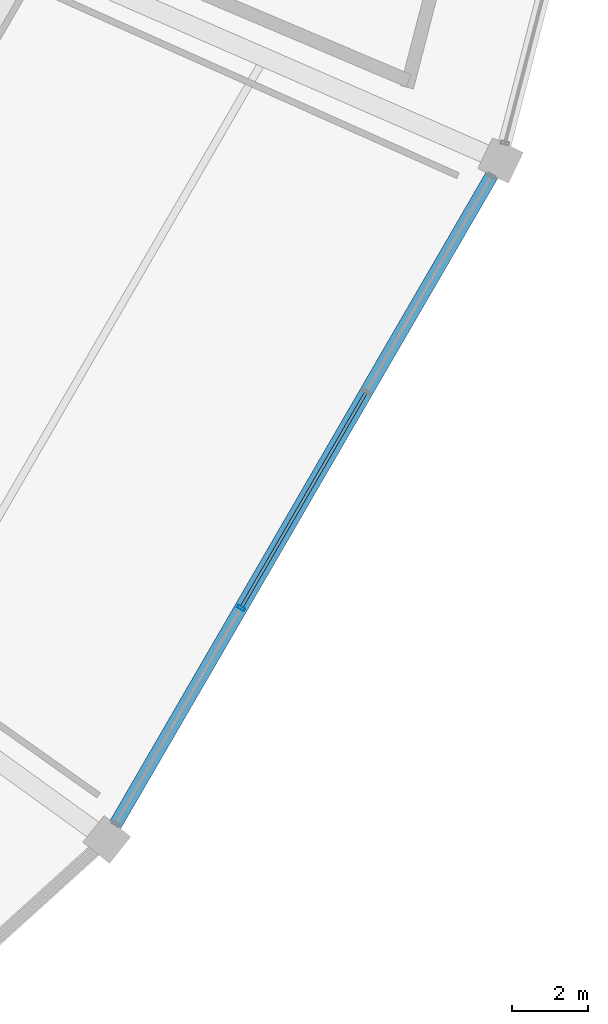
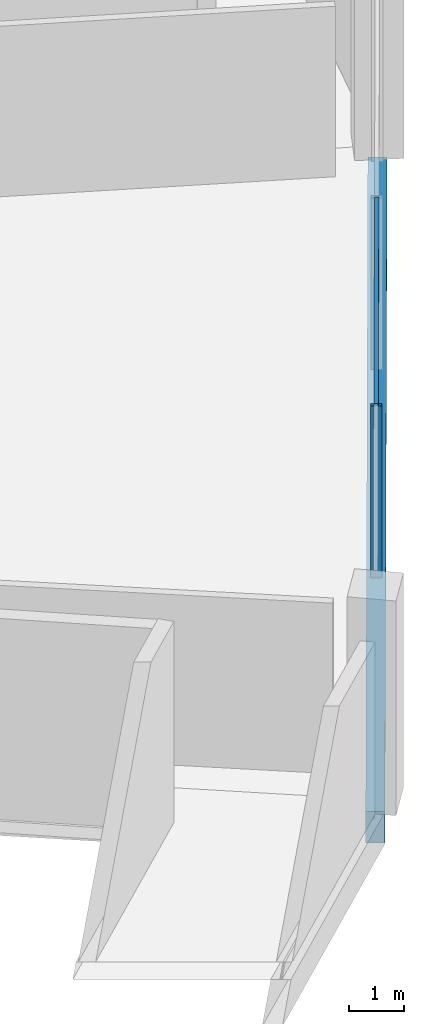
# One storey, part 61 of 171: 3 members, 1 beam, 1 element without a shape of its own.
"""IFC4 building model written with IfcOpenShell, lengths in metres."""

from ifc_helpers import new_model, si_unit, direction, frame, origin, origin_2d, place, context, subcontext, project, spatial, rectangle, hollow_rectangle, extrude, material, layer, layer_set, material_profile, profile_set, type_object, element, aggregate, save


model = new_model("IFC4")

# Units and contexts
model_context = context("Model", 3, precision=1e-05, world=origin(), true_north=direction((0.0, 1.0)))
body_context = subcontext(model_context, "Body", "Model", "MODEL_VIEW")
ifc_project = project(units=[si_unit("LENGTHUNIT", "METRE"), si_unit("AREAUNIT", "SQUARE_METRE"), si_unit("VOLUMEUNIT", "CUBIC_METRE"), si_unit("PLANEANGLEUNIT", "RADIAN"), si_unit("MASSUNIT", "GRAM", prefix="KILO")], contexts=[model_context])

# Site, building, storey
site_placement = place(None, origin())
site = spatial("IfcSite", under=ifc_project, at=site_placement, CompositionType="ELEMENT")
building_placement = place(site_placement, origin())
building = spatial("IfcBuilding", under=site, at=building_placement, Name="Kazemori Nagisa Stadium", CompositionType="ELEMENT")
storey_placement = place(building_placement, frame((0.0, 0.0, 15.639892578125)))
storey = spatial("IfcBuildingStorey", under=building, at=storey_placement, Name="L03", CompositionType="ELEMENT", Elevation=15.639892578125)

# Beam
ifc_material_1 = material(Name="Concrete C40/50 (Fc42)", Category="concrete")
ifc_material_profile_1 = material_profile(ifc_material_1, rectangle(XDim=0.35009765625, YDim=0.699951171875, at=origin_2d()), Name="RC-SP-350x700")
ifc_profile_set_1 = profile_set([ifc_material_profile_1], Name="Concrete C40/50 (Fc42)")
beam_type = type_object("IfcBeamType", Name="Beam_BS-RC350X700", PredefinedType="SPANDREL", material=ifc_profile_set_1)
beam_placement = place(storey_placement, frame((201.495361328125, 45.332275390625, -0.60986328125), z_axis=(0.50161277459, 0.8650922635, 0.0), x_axis=(-0.8650922635, 0.50161277459, 0.0)))
element("IfcBeam", 1, at=beam_placement, inside=storey, type_object=beam_type, Name="Ring girder BS-RC350X700 L03 R3-26", PredefinedType="SPANDREL", context=body_context, shape_type="SweptSolid", body=[
    extrude(rectangle(XDim=0.35009765625, YDim=0.699951171875, at=origin_2d()), origin(), (0.0, 0.0, 1.0), 20.71240234375),
])

# Curtain wall, members
ifc_material_2 = material(Name="Anodised aluminium 6063-T5", Category="aluminium")
ifc_layer = layer(ifc_material_2, 0.2099609375, Name="Anodised aluminium 6063-T5", Category="aluminium")
ifc_layer_set = layer_set([ifc_layer], Name="Anodised aluminium 6063-T5")
curtain_wall_type = type_object("IfcCurtainWallType", Name="CW_L03R3_99", PredefinedType="USERDEFINED", material=ifc_layer_set)
curtain_wall_placement = place(storey_placement, origin())
curtain_wall = element("IfcCurtainWall", 2, at=curtain_wall_placement, inside=storey, type_object=curtain_wall_type, Name="Unitised curtain wall CW-L03R3-99 L03", ObjectType="UNITISED CURTAIN WALL", PredefinedType="USERDEFINED")
ifc_material_3 = material(Name="Aluminium 6063-T5 anodised", Category="aluminium")
ifc_material_profile_2 = material_profile(ifc_material_3, hollow_rectangle(XDim=0.080078125, YDim=0.2099609375, WallThickness=0.0048828125, at=origin_2d()), Name="ALU-MULL-80x210x5")
ifc_profile_set_2 = profile_set([ifc_material_profile_2], Name="Aluminium 6063-T5 anodised")
member_type_1 = type_object("IfcMemberType", Name="Mullion_M02", PredefinedType="MULLION", material=ifc_profile_set_2)
member_1_placement = place(storey_placement, frame((205.0380859375, 51.442138671875, 0.0), z_axis=(0.0, 0.0, 1.0), x_axis=(0.501611590054, 0.865092950337, 0.0)))
member_1 = element("IfcMember", 3, at=member_1_placement, type_object=member_type_1, Name="Curtain wall mullion CW-L03R3-99-M2", PredefinedType="MULLION", context=body_context, shape_type="SweptSolid", body=[
    extrude(hollow_rectangle(XDim=0.080078125, YDim=0.2099609375, WallThickness=0.0048828125, at=origin_2d()), origin(), (0.0, 0.0, 1.0), 3.81005859375),
])
ifc_material_profile_3 = material_profile(ifc_material_3, hollow_rectangle(XDim=0.080078125, YDim=0.159912109375, WallThickness=0.00390625, at=origin_2d()), Name="ALU-TRAN-80x160x4")
ifc_profile_set_3 = profile_set([ifc_material_profile_3], Name="Aluminium 6063-T5 anodised")
member_type_2 = type_object("IfcMemberType", Name="Transom_T02", PredefinedType="USERDEFINED", material=ifc_profile_set_3)
member_2_placement = place(storey_placement, frame((205.048095703125, 51.459228515625, 2.705322265625), z_axis=(0.501590295943, 0.865105297069, 0.0), x_axis=(-0.865105297069, 0.501590295943, 0.0)))
member_2 = element("IfcMember", 4, at=member_2_placement, type_object=member_type_2, Name="Curtain wall transom CW-L03R3-99-T2-mid", ObjectType="TRANSOM", PredefinedType="USERDEFINED", context=body_context, shape_type="SweptSolid", body=[
    extrude(hollow_rectangle(XDim=0.080078125, YDim=0.159912109375, WallThickness=0.00390625, at=origin_2d()), origin(), (0.0, 0.0, 1.0), 6.547607421875),
])
member_3_placement = place(storey_placement, frame((205.048095703125, 51.459228515625, 3.739990234375), z_axis=(0.501590295943, 0.865105297069, 0.0), x_axis=(-0.865105297069, 0.501590295943, 0.0)))
member_3 = element("IfcMember", 5, at=member_3_placement, type_object=member_type_2, Name="Curtain wall transom CW-L03R3-99-T2-head", ObjectType="TRANSOM", PredefinedType="USERDEFINED", context=body_context, shape_type="SweptSolid", body=[
    extrude(hollow_rectangle(XDim=0.080078125, YDim=0.159912109375, WallThickness=0.00390625, at=origin_2d()), origin(), (0.0, 0.0, 1.0), 6.547607421875),
])
aggregate(curtain_wall, [member_1, member_2, member_3])

save(model, "model.ifc")
